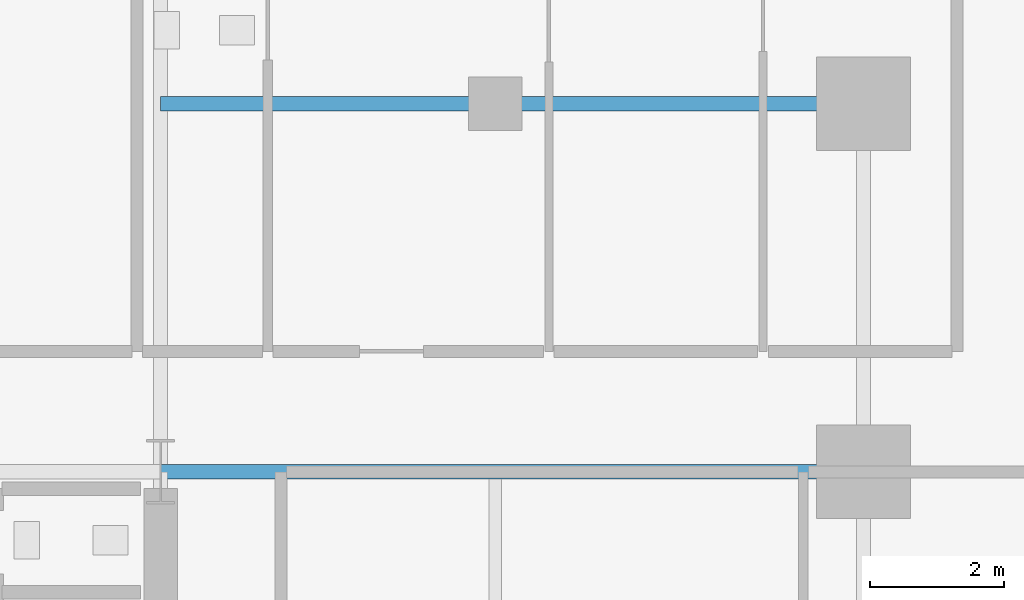
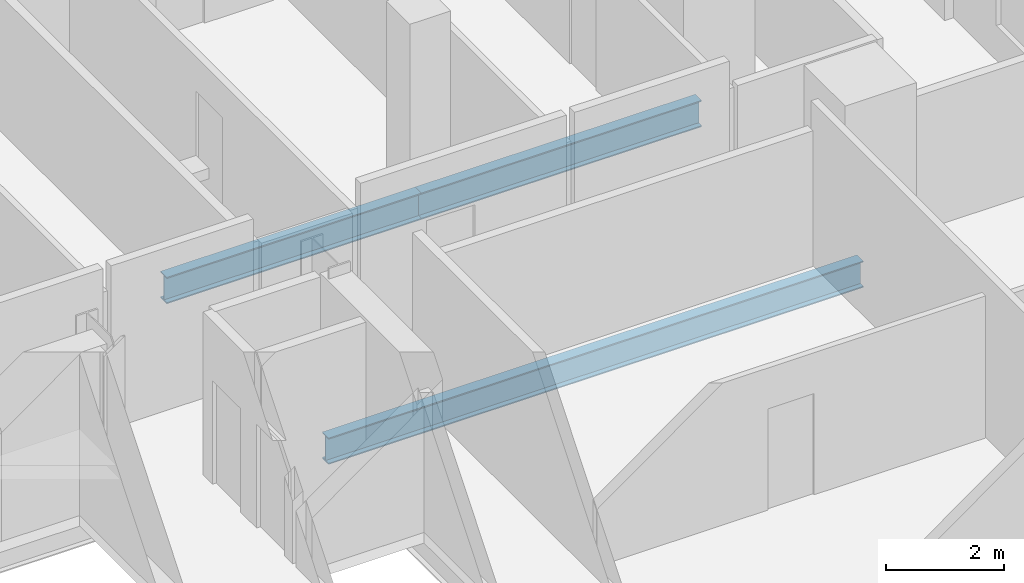
# One storey, part 14 of 24: 3 beams.
"""IFC4 building model written with IfcOpenShell, lengths in metres."""

from ifc_helpers import new_model, si_unit, direction, frame, origin, origin_2d, place, context, subcontext, project, spatial, i_section, extrude, material, material_profile, profile_set, type_object, element, save


model = new_model("IFC4")

# Units and contexts
model_context = context("Model", 3, precision=1e-05, world=origin(), true_north=direction((0.0, 1.0)))
body_context = subcontext(model_context, "Body", "Model", "MODEL_VIEW")
ifc_project = project(units=[si_unit("LENGTHUNIT", "METRE"), si_unit("AREAUNIT", "SQUARE_METRE"), si_unit("VOLUMEUNIT", "CUBIC_METRE"), si_unit("PLANEANGLEUNIT", "RADIAN"), si_unit("MASSUNIT", "GRAM", prefix="KILO")], contexts=[model_context])

# Site, building, storey
site_placement = place(None, origin())
site = spatial("IfcSite", under=ifc_project, at=site_placement, CompositionType="ELEMENT")
building_placement = place(site_placement, origin())
building = spatial("IfcBuilding", under=site, at=building_placement, Name="Barlavira Tower and Art Museum", CompositionType="ELEMENT")
storey_placement = place(building_placement, frame((0.0, 0.0, 43.199951171875)))
storey = spatial("IfcBuildingStorey", under=building, at=storey_placement, Name="L09", CompositionType="ELEMENT", Elevation=43.199951171875)

# Beams
ifc_material = material(Name="Steel S355", Category="steel")
ifc_material_profile = material_profile(ifc_material, i_section(OverallWidth=0.214111328125, OverallDepth=0.549072265625, WebThickness=0.0146484375, FlangeThickness=0.023681640625, at=origin_2d()), Name="W530x138.0")
ifc_profile_set = profile_set([ifc_material_profile], Name="Steel S355")
beam_type = type_object("IfcBeamType", Name="Zone 1 Primary Floor Girder W530x138 Steel S355", PredefinedType="BEAM", material=ifc_profile_set)
beam_1_placement = place(storey_placement, frame((6.5, 7.5, -0.494384765625), z_axis=(1.0, 0.0, 0.0), x_axis=(0.0, 1.0, 0.0)))
element("IfcBeam", 1, at=beam_1_placement, inside=storey, type_object=beam_type, Name="L09 Girder R-E2", PredefinedType="BEAM", context=body_context, shape_type="SweptSolid", body=[
    extrude(i_section(OverallWidth=0.214111328125, OverallDepth=0.549072265625, WebThickness=0.0146484375, FlangeThickness=0.023681640625, at=origin_2d()), origin(), (0.0, 0.0, 1.0), 10.5),
])
beam_2_placement = place(storey_placement, frame((6.5, 13.0, -0.494384765625), z_axis=(1.0, 0.0, 0.0), x_axis=(0.0, 1.0, 0.0)))
element("IfcBeam", 2, at=beam_2_placement, inside=storey, type_object=beam_type, Name="L09 Girder I-N3", PredefinedType="BEAM", context=body_context, shape_type="SweptSolid", body=[
    extrude(i_section(OverallWidth=0.214111328125, OverallDepth=0.549072265625, WebThickness=0.0146484375, FlangeThickness=0.023681640625, at=origin_2d()), origin(), (0.0, 0.0, 1.0), 5.0),
])
beam_3_placement = place(storey_placement, frame((11.5, 13.0, -0.494384765625), z_axis=(1.0, 0.0, 0.0), x_axis=(0.0, 1.0, 0.0)))
element("IfcBeam", 3, at=beam_3_placement, inside=storey, type_object=beam_type, Name="L09 Girder I-N4", PredefinedType="BEAM", context=body_context, shape_type="SweptSolid", body=[
    extrude(i_section(OverallWidth=0.214111328125, OverallDepth=0.549072265625, WebThickness=0.0146484375, FlangeThickness=0.023681640625, at=origin_2d()), origin(), (0.0, 0.0, 1.0), 5.5),
])

save(model, "model.ifc")
